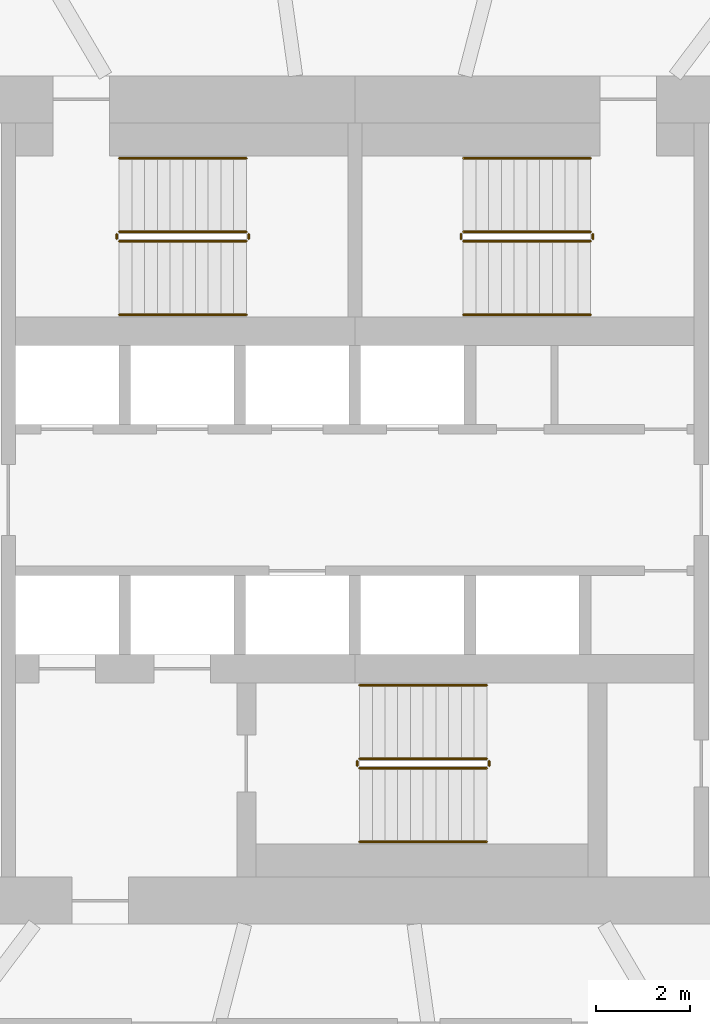
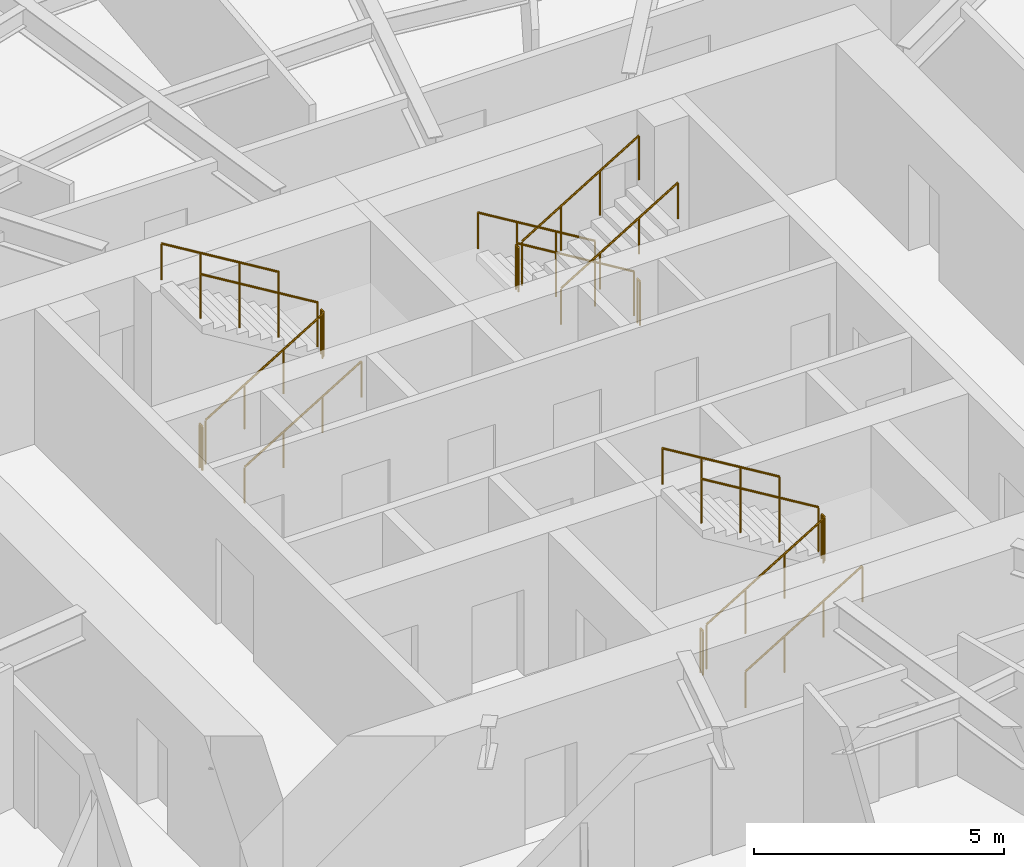
# One storey, part 13 of 14: 18 railings.
"""IFC4 building model written with IfcOpenShell, lengths in metres."""

from ifc_helpers import new_model, si_unit, direction, frame, origin, origin_2d, place, context, subcontext, project, spatial, circle, extrude, material, type_object, element, save


model = new_model("IFC4")

# Units and contexts
model_context = context("Model", 3, precision=1e-05, world=origin(), true_north=direction((0.0, 1.0)))
body_context = subcontext(model_context, "Body", "Model", "MODEL_VIEW")
ifc_project = project(units=[si_unit("LENGTHUNIT", "METRE"), si_unit("AREAUNIT", "SQUARE_METRE"), si_unit("VOLUMEUNIT", "CUBIC_METRE"), si_unit("PLANEANGLEUNIT", "RADIAN"), si_unit("MASSUNIT", "GRAM", prefix="KILO")], contexts=[model_context])

# Site, building, storey
site_placement = place(None, origin())
site = spatial("IfcSite", under=ifc_project, at=site_placement, CompositionType="ELEMENT")
building_placement = place(site_placement, origin())
building = spatial("IfcBuilding", under=site, at=building_placement, Name="Vermilion Reach Broadcast Tower", CompositionType="ELEMENT")
storey_placement = place(building_placement, frame((0.0, 0.0, 124.60009765625)))
storey = spatial("IfcBuildingStorey", under=building, at=storey_placement, Name="L29", CompositionType="ELEMENT", Elevation=124.60009765625)

# Railings
ifc_material_1 = material(Name="Stainless steel", Category="steel")
railing_type_1 = type_object("IfcRailingType", Name="Stair guard 1100", PredefinedType="GUARDRAIL", material=ifc_material_1)
railing_1_placement = place(storey_placement, frame((-11.0, 5.489990234375, 0.16357421875)))
element("IfcRailing", 1, at=railing_1_placement, inside=storey, type_object=railing_type_1, Name="L29 ST1 stair guard 1", PredefinedType="GUARDRAIL", context=body_context, shape_type="SweptSolid", body=[
    extrude(circle(Radius=0.02392578125, at=origin_2d()), frame((0.0, 0.0, 1.076171875), z_axis=(0.855212373127, 0.0, 0.518277721738), x_axis=(0.0, 1.0, 0.0)), (0.0, 0.0, 1.0), 3.156982421875),
    extrude(circle(Radius=0.02099609375, at=origin_2d()), origin(), (0.0, 0.0, 1.0), 1.052001953125),
    extrude(circle(Radius=0.02099609375, at=origin_2d()), frame((0.89990234375, 0.0, 0.54541015625)), (0.0, 0.0, 1.0), 1.052001953125),
    extrude(circle(Radius=0.02099609375, at=origin_2d()), frame((1.800048828125, 0.0, 1.0908203125)), (0.0, 0.0, 1.0), 1.052001953125),
    extrude(circle(Radius=0.02099609375, at=origin_2d()), frame((2.699951171875, 0.0, 1.63623046875)), (0.0, 0.0, 1.0), 1.052001953125),
])
railing_2_placement = place(storey_placement, frame((-8.25, 5.5400390625, 1.7998046875)))
element("IfcRailing", 2, at=railing_2_placement, inside=storey, type_object=railing_type_1, Name="L29 ST1 stair guard 2", PredefinedType="GUARDRAIL", context=body_context, shape_type="SweptSolid", body=[
    extrude(circle(Radius=0.02392578125, at=origin_2d()), frame((0.0, 0.0, 1.076171875), z_axis=(0.0, 1.0, 0.0), x_axis=(-1.0, 0.0, 0.0)), (0.0, 0.0, 1.0), 0.099853515625),
    extrude(circle(Radius=0.02099609375, at=origin_2d()), origin(), (0.0, 0.0, 1.0), 1.052001953125),
    extrude(circle(Radius=0.02099609375, at=origin_2d()), frame((0.0, 0.099853515625, 0.0)), (0.0, 0.0, 1.0), 1.052001953125),
])
railing_3_placement = place(storey_placement, frame((-8.300048828125, 5.68994140625, 1.963623046875)))
element("IfcRailing", 3, at=railing_3_placement, inside=storey, type_object=railing_type_1, Name="L29 ST1 stair guard 3", PredefinedType="GUARDRAIL", context=body_context, shape_type="SweptSolid", body=[
    extrude(circle(Radius=0.02392578125, at=origin_2d()), frame((0.0, 0.0, 1.076171875), z_axis=(-0.855212373127, 0.0, 0.518277721738), x_axis=(0.0, -1.0, 0.0)), (0.0, 0.0, 1.0), 3.156982421875),
    extrude(circle(Radius=0.02099609375, at=origin_2d()), origin(), (0.0, 0.0, 1.0), 1.052001953125),
    extrude(circle(Radius=0.02099609375, at=origin_2d()), frame((-0.89990234375, 0.0, 0.54541015625)), (0.0, 0.0, 1.0), 1.052001953125),
    extrude(circle(Radius=0.02099609375, at=origin_2d()), frame((-1.800048828125, 0.0, 1.0908203125)), (0.0, 0.0, 1.0), 1.052001953125),
    extrude(circle(Radius=0.02099609375, at=origin_2d()), frame((-2.699951171875, 0.0, 1.63623046875)), (0.0, 0.0, 1.0), 1.052001953125),
])
railing_4_placement = place(storey_placement, frame((-11.050048828125, 5.5400390625, 0.0)))
element("IfcRailing", 4, at=railing_4_placement, inside=storey, type_object=railing_type_1, Name="L29 ST1 stair guard 4", PredefinedType="GUARDRAIL", context=body_context, shape_type="SweptSolid", body=[
    extrude(circle(Radius=0.02392578125, at=origin_2d()), frame((0.0, 0.0, 1.076171875), z_axis=(0.0, 1.0, 0.0), x_axis=(-1.0, 0.0, 0.0)), (0.0, 0.0, 1.0), 0.099853515625),
    extrude(circle(Radius=0.02099609375, at=origin_2d()), origin(), (0.0, 0.0, 1.0), 1.052001953125),
    extrude(circle(Radius=0.02099609375, at=origin_2d()), frame((0.0, 0.099853515625, 0.0)), (0.0, 0.0, 1.0), 1.052001953125),
])
railing_5_placement = place(storey_placement, frame((-1.0, 5.68994140625, 0.16357421875)))
element("IfcRailing", 5, at=railing_5_placement, inside=storey, type_object=railing_type_1, Name="L29 ST2 stair guard 1", PredefinedType="GUARDRAIL", context=body_context, shape_type="SweptSolid", body=[
    extrude(circle(Radius=0.02392578125, at=origin_2d()), frame((0.0, 0.0, 1.076171875), z_axis=(-0.855212373127, 0.0, 0.518277721738), x_axis=(0.0, -1.0, 0.0)), (0.0, 0.0, 1.0), 3.156982421875),
    extrude(circle(Radius=0.02099609375, at=origin_2d()), origin(), (0.0, 0.0, 1.0), 1.052001953125),
    extrude(circle(Radius=0.02099609375, at=origin_2d()), frame((-0.89990234375, 0.0, 0.54541015625)), (0.0, 0.0, 1.0), 1.052001953125),
    extrude(circle(Radius=0.02099609375, at=origin_2d()), frame((-1.800048828125, 0.0, 1.0908203125)), (0.0, 0.0, 1.0), 1.052001953125),
    extrude(circle(Radius=0.02099609375, at=origin_2d()), frame((-2.699951171875, 0.0, 1.63623046875)), (0.0, 0.0, 1.0), 1.052001953125),
])
railing_6_placement = place(storey_placement, frame((-3.75, 5.639892578125, 1.7998046875)))
element("IfcRailing", 6, at=railing_6_placement, inside=storey, type_object=railing_type_1, Name="L29 ST2 stair guard 2", PredefinedType="GUARDRAIL", context=body_context, shape_type="SweptSolid", body=[
    extrude(circle(Radius=0.02392578125, at=origin_2d()), frame((0.0, 0.0, 1.076171875), z_axis=(0.0, -1.0, 0.0), x_axis=(1.0, 0.0, 0.0)), (0.0, 0.0, 1.0), 0.099853515625),
    extrude(circle(Radius=0.02099609375, at=origin_2d()), origin(), (0.0, 0.0, 1.0), 1.052001953125),
    extrude(circle(Radius=0.02099609375, at=origin_2d()), frame((0.0, -0.099853515625, 0.0)), (0.0, 0.0, 1.0), 1.052001953125),
])
railing_7_placement = place(storey_placement, frame((-3.699951171875, 5.489990234375, 1.963623046875)))
element("IfcRailing", 7, at=railing_7_placement, inside=storey, type_object=railing_type_1, Name="L29 ST2 stair guard 3", PredefinedType="GUARDRAIL", context=body_context, shape_type="SweptSolid", body=[
    extrude(circle(Radius=0.02392578125, at=origin_2d()), frame((0.0, 0.0, 1.076171875), z_axis=(0.855212373127, 0.0, 0.518277721738), x_axis=(0.0, 1.0, 0.0)), (0.0, 0.0, 1.0), 3.156982421875),
    extrude(circle(Radius=0.02099609375, at=origin_2d()), origin(), (0.0, 0.0, 1.0), 1.052001953125),
    extrude(circle(Radius=0.02099609375, at=origin_2d()), frame((0.89990234375, 0.0, 0.54541015625)), (0.0, 0.0, 1.0), 1.052001953125),
    extrude(circle(Radius=0.02099609375, at=origin_2d()), frame((1.800048828125, 0.0, 1.0908203125)), (0.0, 0.0, 1.0), 1.052001953125),
    extrude(circle(Radius=0.02099609375, at=origin_2d()), frame((2.699951171875, 0.0, 1.63623046875)), (0.0, 0.0, 1.0), 1.052001953125),
])
railing_8_placement = place(storey_placement, frame((-0.949951171875, 5.639892578125, 0.0)))
element("IfcRailing", 8, at=railing_8_placement, inside=storey, type_object=railing_type_1, Name="L29 ST2 stair guard 4", PredefinedType="GUARDRAIL", context=body_context, shape_type="SweptSolid", body=[
    extrude(circle(Radius=0.02392578125, at=origin_2d()), frame((0.0, 0.0, 1.076171875), z_axis=(0.0, -1.0, 0.0), x_axis=(1.0, 0.0, 0.0)), (0.0, 0.0, 1.0), 0.099853515625),
    extrude(circle(Radius=0.02099609375, at=origin_2d()), origin(), (0.0, 0.0, 1.0), 1.052001953125),
    extrude(circle(Radius=0.02099609375, at=origin_2d()), frame((0.0, -0.099853515625, 0.0)), (0.0, 0.0, 1.0), 1.052001953125),
])
railing_9_placement = place(storey_placement, frame((-5.89990234375, -5.68994140625, 0.16357421875)))
element("IfcRailing", 9, at=railing_9_placement, inside=storey, type_object=railing_type_1, Name="L29 ST3 stair guard 1", PredefinedType="GUARDRAIL", context=body_context, shape_type="SweptSolid", body=[
    extrude(circle(Radius=0.02392578125, at=origin_2d()), frame((0.0, 0.0, 1.076171875), z_axis=(0.855212373127, 0.0, 0.518277721738), x_axis=(0.0, 1.0, 0.0)), (0.0, 0.0, 1.0), 3.156982421875),
    extrude(circle(Radius=0.02099609375, at=origin_2d()), origin(), (0.0, 0.0, 1.0), 1.052001953125),
    extrude(circle(Radius=0.02099609375, at=origin_2d()), frame((0.89990234375, 0.0, 0.54541015625)), (0.0, 0.0, 1.0), 1.052001953125),
    extrude(circle(Radius=0.02099609375, at=origin_2d()), frame((1.800048828125, 0.0, 1.0908203125)), (0.0, 0.0, 1.0), 1.052001953125),
    extrude(circle(Radius=0.02099609375, at=origin_2d()), frame((2.699951171875, 0.0, 1.63623046875)), (0.0, 0.0, 1.0), 1.052001953125),
])
railing_10_placement = place(storey_placement, frame((-3.14990234375, -5.639892578125, 1.7998046875)))
element("IfcRailing", 10, at=railing_10_placement, inside=storey, type_object=railing_type_1, Name="L29 ST3 stair guard 2", PredefinedType="GUARDRAIL", context=body_context, shape_type="SweptSolid", body=[
    extrude(circle(Radius=0.02392578125, at=origin_2d()), frame((0.0, 0.0, 1.076171875), z_axis=(0.0, 1.0, 0.0), x_axis=(-1.0, 0.0, 0.0)), (0.0, 0.0, 1.0), 0.099853515625),
    extrude(circle(Radius=0.02099609375, at=origin_2d()), origin(), (0.0, 0.0, 1.0), 1.052001953125),
    extrude(circle(Radius=0.02099609375, at=origin_2d()), frame((0.0, 0.099853515625, 0.0)), (0.0, 0.0, 1.0), 1.052001953125),
])
railing_11_placement = place(storey_placement, frame((-3.199951171875, -5.489990234375, 1.963623046875)))
element("IfcRailing", 11, at=railing_11_placement, inside=storey, type_object=railing_type_1, Name="L29 ST3 stair guard 3", PredefinedType="GUARDRAIL", context=body_context, shape_type="SweptSolid", body=[
    extrude(circle(Radius=0.02392578125, at=origin_2d()), frame((0.0, 0.0, 1.076171875), z_axis=(-0.855212373127, 0.0, 0.518277721738), x_axis=(0.0, -1.0, 0.0)), (0.0, 0.0, 1.0), 3.156982421875),
    extrude(circle(Radius=0.02099609375, at=origin_2d()), origin(), (0.0, 0.0, 1.0), 1.052001953125),
    extrude(circle(Radius=0.02099609375, at=origin_2d()), frame((-0.89990234375, 0.0, 0.54541015625)), (0.0, 0.0, 1.0), 1.052001953125),
    extrude(circle(Radius=0.02099609375, at=origin_2d()), frame((-1.800048828125, 0.0, 1.0908203125)), (0.0, 0.0, 1.0), 1.052001953125),
    extrude(circle(Radius=0.02099609375, at=origin_2d()), frame((-2.699951171875, 0.0, 1.63623046875)), (0.0, 0.0, 1.0), 1.052001953125),
])
railing_12_placement = place(storey_placement, frame((-5.949951171875, -5.639892578125, 0.0)))
element("IfcRailing", 12, at=railing_12_placement, inside=storey, type_object=railing_type_1, Name="L29 ST3 stair guard 4", PredefinedType="GUARDRAIL", context=body_context, shape_type="SweptSolid", body=[
    extrude(circle(Radius=0.02392578125, at=origin_2d()), frame((0.0, 0.0, 1.076171875), z_axis=(0.0, 1.0, 0.0), x_axis=(-1.0, 0.0, 0.0)), (0.0, 0.0, 1.0), 0.099853515625),
    extrude(circle(Radius=0.02099609375, at=origin_2d()), origin(), (0.0, 0.0, 1.0), 1.052001953125),
    extrude(circle(Radius=0.02099609375, at=origin_2d()), frame((0.0, 0.099853515625, 0.0)), (0.0, 0.0, 1.0), 1.052001953125),
])
ifc_material_2 = material(Name="Stainless steel", Category="steel")
railing_type_2 = type_object("IfcRailingType", Name="Stair handrail", PredefinedType="HANDRAIL", material=ifc_material_2)
railing_13_placement = place(storey_placement, frame((-11.0, 3.929931640625, 0.16357421875)))
element("IfcRailing", 13, at=railing_13_placement, inside=storey, type_object=railing_type_2, Name="L29 ST1 stair handrail 1", PredefinedType="HANDRAIL", context=body_context, shape_type="SweptSolid", body=[
    extrude(circle(Radius=0.02392578125, at=origin_2d()), frame((0.0, 0.0, 0.8759765625), z_axis=(0.855212373127, 0.0, 0.518277721738), x_axis=(0.0, 1.0, 0.0)), (0.0, 0.0, 1.0), 3.156982421875),
    extrude(circle(Radius=0.02099609375, at=origin_2d()), origin(), (0.0, 0.0, 1.0), 0.851806640625),
    extrude(circle(Radius=0.02099609375, at=origin_2d()), frame((0.89990234375, 0.0, 0.54541015625)), (0.0, 0.0, 1.0), 0.851806640625),
    extrude(circle(Radius=0.02099609375, at=origin_2d()), frame((1.800048828125, 0.0, 1.0908203125)), (0.0, 0.0, 1.0), 0.851806640625),
    extrude(circle(Radius=0.02099609375, at=origin_2d()), frame((2.699951171875, 0.0, 1.63623046875)), (0.0, 0.0, 1.0), 0.851806640625),
])
for number, where, name in (
    (14, (-8.300048828125, 7.25, 1.963623046875), "L29 ST1 stair handrail 2"),
    (15, (-1.0, 7.25, 0.16357421875), "L29 ST2 stair handrail 1"),
):
    element("IfcRailing", number, at=place(storey_placement, frame(where)), inside=storey, type_object=railing_type_2, Name=name, PredefinedType="HANDRAIL", context=body_context, shape_type="SweptSolid", body=[
        extrude(circle(Radius=0.02392578125, at=origin_2d()), frame((0.0, 0.0, 0.8759765625), z_axis=(-0.855212373127, 0.0, 0.518277721738), x_axis=(0.0, -1.0, 0.0)), (0.0, 0.0, 1.0), 3.156982421875),
        extrude(circle(Radius=0.02099609375, at=origin_2d()), origin(), (0.0, 0.0, 1.0), 0.851806640625),
        extrude(circle(Radius=0.02099609375, at=origin_2d()), frame((-0.89990234375, 0.0, 0.54541015625)), (0.0, 0.0, 1.0), 0.851806640625),
        extrude(circle(Radius=0.02099609375, at=origin_2d()), frame((-1.800048828125, 0.0, 1.0908203125)), (0.0, 0.0, 1.0), 0.851806640625),
        extrude(circle(Radius=0.02099609375, at=origin_2d()), frame((-2.699951171875, 0.0, 1.63623046875)), (0.0, 0.0, 1.0), 0.851806640625),
    ])
for number, where, name in (
    (16, (-3.699951171875, 3.929931640625, 1.963623046875), "L29 ST2 stair handrail 2"),
    (17, (-5.89990234375, -7.25, 0.16357421875), "L29 ST3 stair handrail 1"),
):
    element("IfcRailing", number, at=place(storey_placement, frame(where)), inside=storey, type_object=railing_type_2, Name=name, PredefinedType="HANDRAIL", context=body_context, shape_type="SweptSolid", body=[
        extrude(circle(Radius=0.02392578125, at=origin_2d()), frame((0.0, 0.0, 0.8759765625), z_axis=(0.855212373127, 0.0, 0.518277721738), x_axis=(0.0, 1.0, 0.0)), (0.0, 0.0, 1.0), 3.156982421875),
        extrude(circle(Radius=0.02099609375, at=origin_2d()), origin(), (0.0, 0.0, 1.0), 0.851806640625),
        extrude(circle(Radius=0.02099609375, at=origin_2d()), frame((0.89990234375, 0.0, 0.54541015625)), (0.0, 0.0, 1.0), 0.851806640625),
        extrude(circle(Radius=0.02099609375, at=origin_2d()), frame((1.800048828125, 0.0, 1.0908203125)), (0.0, 0.0, 1.0), 0.851806640625),
        extrude(circle(Radius=0.02099609375, at=origin_2d()), frame((2.699951171875, 0.0, 1.63623046875)), (0.0, 0.0, 1.0), 0.851806640625),
    ])
railing_14_placement = place(storey_placement, frame((-3.199951171875, -3.929931640625, 1.963623046875)))
element("IfcRailing", 18, at=railing_14_placement, inside=storey, type_object=railing_type_2, Name="L29 ST3 stair handrail 2", PredefinedType="HANDRAIL", context=body_context, shape_type="SweptSolid", body=[
    extrude(circle(Radius=0.02392578125, at=origin_2d()), frame((0.0, 0.0, 0.8759765625), z_axis=(-0.855212373127, 0.0, 0.518277721738), x_axis=(0.0, -1.0, 0.0)), (0.0, 0.0, 1.0), 3.156982421875),
    extrude(circle(Radius=0.02099609375, at=origin_2d()), origin(), (0.0, 0.0, 1.0), 0.851806640625),
    extrude(circle(Radius=0.02099609375, at=origin_2d()), frame((-0.89990234375, 0.0, 0.54541015625)), (0.0, 0.0, 1.0), 0.851806640625),
    extrude(circle(Radius=0.02099609375, at=origin_2d()), frame((-1.800048828125, 0.0, 1.0908203125)), (0.0, 0.0, 1.0), 0.851806640625),
    extrude(circle(Radius=0.02099609375, at=origin_2d()), frame((-2.699951171875, 0.0, 1.63623046875)), (0.0, 0.0, 1.0), 0.851806640625),
])

save(model, "model.ifc")
